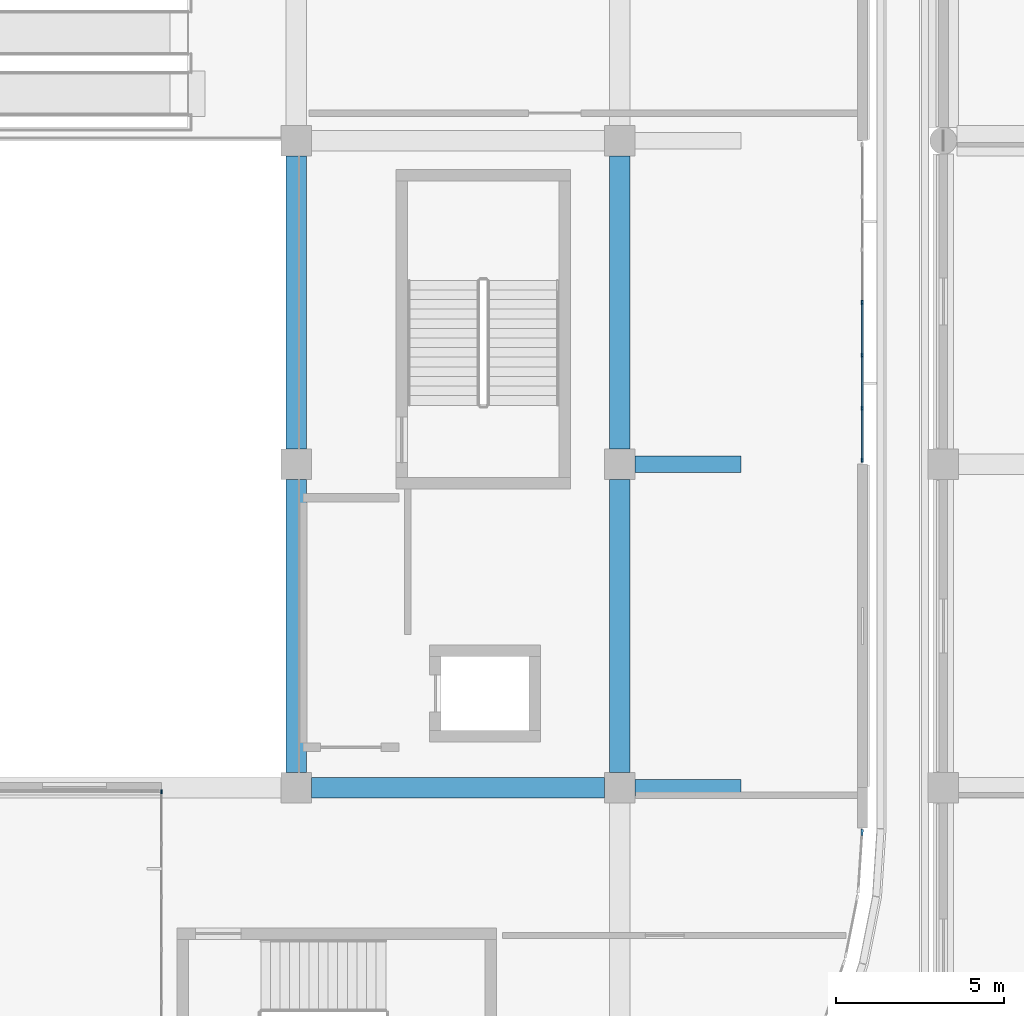
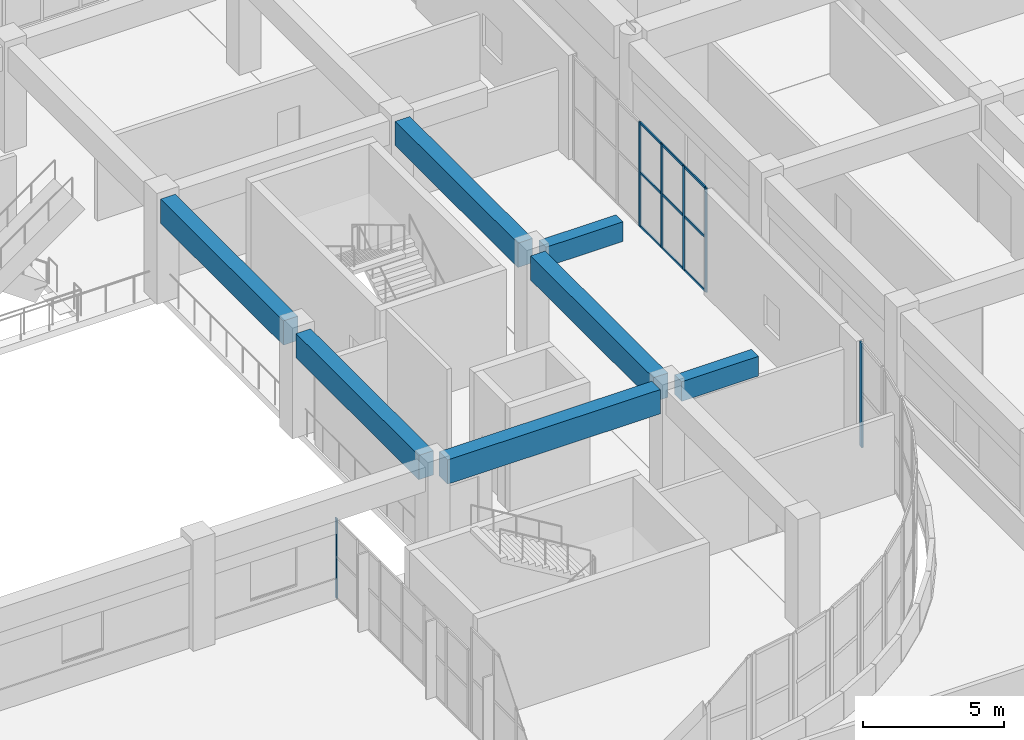
# One storey, part 8 of 96: 15 members, 7 beams, 3 elements without a shape of their own.
"""IFC4 building model written with IfcOpenShell, lengths in metres."""

from ifc_helpers import new_model, si_unit, direction, frame, origin, origin_2d, place, context, subcontext, project, spatial, rectangle, extrude, material, layer, layer_set, material_profile, profile_set, type_object, element, aggregate, save


model = new_model("IFC4")

# Units and contexts
model_context = context("Model", 3, precision=1e-05, world=origin(), true_north=direction((0.0, 1.0)))
body_context = subcontext(model_context, "Body", "Model", "MODEL_VIEW")
ifc_project = project(units=[si_unit("LENGTHUNIT", "METRE"), si_unit("AREAUNIT", "SQUARE_METRE"), si_unit("VOLUMEUNIT", "CUBIC_METRE"), si_unit("PLANEANGLEUNIT", "RADIAN"), si_unit("MASSUNIT", "GRAM", prefix="KILO")], contexts=[model_context])

# Site, building, storey
site_placement = place(None, origin())
site = spatial("IfcSite", under=ifc_project, at=site_placement, CompositionType="ELEMENT")
building_placement = place(site_placement, origin())
building = spatial("IfcBuilding", under=site, at=building_placement, Name="Cendralis Terraced Arcade", CompositionType="ELEMENT")
storey_placement = place(building_placement, frame((0.0, 0.0, 10.199951171875)))
storey = spatial("IfcBuildingStorey", under=building, at=storey_placement, Name="L02", CompositionType="ELEMENT", Elevation=10.199951171875)

# Beams
ifc_material_1 = material(Name="Concrete f'c 35 MPa", Category="concrete")
ifc_material_profile_1 = material_profile(ifc_material_1, rectangle(XDim=0.60009765625, YDim=1.050048828125, at=origin_2d()), Name="RC-BM-600x1050", Category="LoadBearing")
ifc_profile_set_1 = profile_set([ifc_material_profile_1], Name="Concrete f'c 35 MPa")
beam_type_1 = type_object("IfcBeamType", Name="BM-600x1050", PredefinedType="JOIST", material=ifc_profile_set_1)
beam_1_placement = place(storey_placement, frame((48.449951171875, 19.199951171875, 3.989990234375), z_axis=(1.0, 0.0, 0.0), x_axis=(0.0, 1.0, 0.0)))
element("IfcBeam", 1, at=beam_1_placement, inside=storey, type_object=beam_type_1, Name="Reinforced Concrete Frame Beam BM-X-L03-C-6_7", PredefinedType="JOIST", context=body_context, shape_type="SweptSolid", body=[
    extrude(rectangle(XDim=0.60009765625, YDim=1.050048828125, at=origin_2d()), origin(), (0.0, 0.0, 1.0), 8.699951171875),
])
beam_2_placement = place(storey_placement, frame((48.0, 19.64990234375, 3.989990234375), z_axis=(0.0, 1.0, 0.0), x_axis=(-1.0, 0.0, 0.0)))
element("IfcBeam", 2, at=beam_2_placement, inside=storey, type_object=beam_type_1, Name="Reinforced Concrete Frame Beam BM-Y-L03-6-C_D", PredefinedType="JOIST", context=body_context, shape_type="SweptSolid", body=[
    extrude(rectangle(XDim=0.60009765625, YDim=1.050048828125, at=origin_2d()), origin(), (0.0, 0.0, 1.0), 8.7001953125),
])
beam_3_placement = place(storey_placement, frame((48.0, 29.25, 3.989990234375), z_axis=(0.0, 1.0, 0.0), x_axis=(-1.0, 0.0, 0.0)))
element("IfcBeam", 3, at=beam_3_placement, inside=storey, type_object=beam_type_1, Name="Reinforced Concrete Frame Beam BM-Y-L03-6-D_E", PredefinedType="JOIST", context=body_context, shape_type="SweptSolid", body=[
    extrude(rectangle(XDim=0.60009765625, YDim=1.050048828125, at=origin_2d()), origin(), (0.0, 0.0, 1.0), 8.699951171875),
])
beam_4_placement = place(storey_placement, frame((57.60009765625, 19.64990234375, 3.989990234375), z_axis=(0.0, 1.0, 0.0), x_axis=(-1.0, 0.0, 0.0)))
element("IfcBeam", 4, at=beam_4_placement, inside=storey, type_object=beam_type_1, Name="Reinforced Concrete Frame Beam BM-Y-L03-7-C_D", PredefinedType="JOIST", context=body_context, shape_type="SweptSolid", body=[
    extrude(rectangle(XDim=0.60009765625, YDim=1.050048828125, at=origin_2d()), origin(), (0.0, 0.0, 1.0), 8.7001953125),
])
beam_5_placement = place(storey_placement, frame((57.60009765625, 29.25, 3.989990234375), z_axis=(0.0, 1.0, 0.0), x_axis=(-1.0, 0.0, 0.0)))
element("IfcBeam", 5, at=beam_5_placement, inside=storey, type_object=beam_type_1, Name="Reinforced Concrete Frame Beam BM-Y-L03-7-D_E", PredefinedType="JOIST", context=body_context, shape_type="SweptSolid", body=[
    extrude(rectangle(XDim=0.60009765625, YDim=1.050048828125, at=origin_2d()), origin(), (0.0, 0.0, 1.0), 8.699951171875),
])
ifc_material_profile_2 = material_profile(ifc_material_1, rectangle(XDim=0.5, YDim=0.85009765625, at=origin_2d()), Name="RC-BM-500x850", Category="LoadBearing")
ifc_profile_set_2 = profile_set([ifc_material_profile_2], Name="Concrete f'c 35 MPa")
beam_type_2 = type_object("IfcBeamType", Name="BM-TER-500x850", PredefinedType="BEAM", material=ifc_profile_set_2)
for number, where, z_axis, x_axis, name in (
    (6, (58.050048828125, 19.199951171875, 4.080078125), (1.0, 0.0, 0.0), (0.0, 1.0, 0.0), "Terrace Bracket Girder TER-L03-V1-C"),
    (7, (58.050048828125, 28.800048828125, 4.080078125), (1.0, 0.0, 0.0), (0.0, 1.0, 0.0), "Terrace Bracket Girder TER-L03-V1-D"),
):
    element("IfcBeam", number, at=place(storey_placement, frame(where, z_axis=z_axis, x_axis=x_axis)), inside=storey, type_object=beam_type_2, Name=name, PredefinedType="BEAM", context=body_context, shape_type="SweptSolid", body=[
        extrude(rectangle(XDim=0.5, YDim=0.85009765625, at=origin_2d()), origin(), (0.0, 0.0, 1.0), 3.14990234375),
    ])

# Curtain wall, member
ifc_material_2 = material(Name="Anodised aluminium EN AW-6063 T6", Category="aluminium")
ifc_layer_1 = layer(ifc_material_2, 0.1201171875, Name="CW-STORE-B")
ifc_layer_set_1 = layer_set([ifc_layer_1], Name="Anodised aluminium EN AW-6063 T6")
curtain_wall_type_1 = type_object("IfcCurtainWallType", Name="CW-STORE-B", PredefinedType="USERDEFINED", material=ifc_layer_set_1)
curtain_wall_1_placement = place(storey_placement, origin())
curtain_wall_1 = element("IfcCurtainWall", 8, at=curtain_wall_1_placement, inside=storey, type_object=curtain_wall_type_1, Name="Exterior Storefront Glazing CW-L02-0206", ObjectType="STOREFRONT GLAZING", PredefinedType="USERDEFINED")
ifc_material_profile_3 = material_profile(ifc_material_2, rectangle(XDim=0.054931640625, YDim=0.1201171875, at=origin_2d()), Name="ALU-MUL-55x120")
ifc_profile_set_3 = profile_set([ifc_material_profile_3], Name="Anodised aluminium EN AW-6063 T6")
member_type_1 = type_object("IfcMemberType", Name="CW-STORE-B-MUL", PredefinedType="MULLION", material=ifc_profile_set_3)
member_1_placement = place(storey_placement, frame((44.0, 19.08251953125, 0.0), z_axis=(0.0, 0.0, 1.0), x_axis=(-1.0, 0.0, 0.0)))
member_1 = element("IfcMember", 9, at=member_1_placement, type_object=member_type_1, Name="CW-S2 mullion 7", PredefinedType="MULLION", context=body_context, shape_type="SweptSolid", body=[
    extrude(rectangle(XDim=0.054931640625, YDim=0.1201171875, at=origin_2d()), origin(), (0.0, 0.0, 1.0), 3.455078125),
])
aggregate(curtain_wall_1, [member_1])

# Curtain wall, members
curtain_wall_2_placement = place(storey_placement, origin())
curtain_wall_2 = element("IfcCurtainWall", 10, at=curtain_wall_2_placement, inside=storey, type_object=curtain_wall_type_1, Name="Exterior Storefront Glazing CW-L02-0226", ObjectType="STOREFRONT GLAZING", PredefinedType="USERDEFINED")
member_2_placement = place(storey_placement, frame((64.800048828125, 33.60009765625, 0.0), z_axis=(0.0, 0.0, 1.0), x_axis=(1.0, 0.0, 0.0)))
member_2 = element("IfcMember", 11, at=member_2_placement, type_object=member_type_1, Name="CW-S2 mullion 4", PredefinedType="MULLION", context=body_context, shape_type="SweptSolid", body=[
    extrude(rectangle(XDim=0.054931640625, YDim=0.1201171875, at=origin_2d()), origin(), (0.0, 0.0, 1.0), 4.51513671875),
])
member_3_placement = place(storey_placement, frame((64.800048828125, 32.030029296875, 0.0), z_axis=(0.0, 0.0, 1.0), x_axis=(1.0, 0.0, 0.0)))
member_3 = element("IfcMember", 12, at=member_3_placement, type_object=member_type_1, Name="CW-S2 mullion 5", PredefinedType="MULLION", context=body_context, shape_type="SweptSolid", body=[
    extrude(rectangle(XDim=0.054931640625, YDim=0.1201171875, at=origin_2d()), origin(), (0.0, 0.0, 1.0), 4.51513671875),
])
member_4_placement = place(storey_placement, frame((64.800048828125, 30.4599609375, 0.0), z_axis=(0.0, 0.0, 1.0), x_axis=(1.0, 0.0, 0.0)))
member_4 = element("IfcMember", 13, at=member_4_placement, type_object=member_type_1, Name="CW-S2 mullion 6", PredefinedType="MULLION", context=body_context, shape_type="SweptSolid", body=[
    extrude(rectangle(XDim=0.054931640625, YDim=0.1201171875, at=origin_2d()), origin(), (0.0, 0.0, 1.0), 4.51513671875),
])
member_5_placement = place(storey_placement, frame((64.800048828125, 28.91748046875, 0.0), z_axis=(0.0, 0.0, 1.0), x_axis=(1.0, 0.0, 0.0)))
member_5 = element("IfcMember", 14, at=member_5_placement, type_object=member_type_1, Name="CW-S2 mullion 7", PredefinedType="MULLION", context=body_context, shape_type="SweptSolid", body=[
    extrude(rectangle(XDim=0.054931640625, YDim=0.1201171875, at=origin_2d()), origin(), (0.0, 0.0, 1.0), 4.51513671875),
])
ifc_material_profile_4 = material_profile(ifc_material_2, rectangle(XDim=0.054931640625, YDim=0.10009765625, at=origin_2d()), Name="ALU-TRN-55x100")
ifc_profile_set_4 = profile_set([ifc_material_profile_4], Name="Anodised aluminium EN AW-6063 T6")
member_type_2 = type_object("IfcMemberType", Name="CW-STORE-B-TRN", PredefinedType="USERDEFINED", material=ifc_profile_set_4)
member_6_placement = place(storey_placement, frame((64.800048828125, 33.572509765625, 0.027587890625), z_axis=(0.0, -1.0, 0.0), x_axis=(1.0, 0.0, 0.0)))
member_6 = element("IfcMember", 15, at=member_6_placement, type_object=member_type_2, Name="CW-S2 transom 4.1", ObjectType="TRANSOM", PredefinedType="USERDEFINED", context=body_context, shape_type="SweptSolid", body=[
    extrude(rectangle(XDim=0.054931640625, YDim=0.10009765625, at=origin_2d()), origin(), (0.0, 0.0, 1.0), 1.514892578125),
])
member_7_placement = place(storey_placement, frame((64.800048828125, 33.572509765625, 2.347900390625), z_axis=(0.0, -1.0, 0.0), x_axis=(1.0, 0.0, 0.0)))
member_7 = element("IfcMember", 16, at=member_7_placement, type_object=member_type_2, Name="CW-S2 transom 4.2", ObjectType="TRANSOM", PredefinedType="USERDEFINED", context=body_context, shape_type="SweptSolid", body=[
    extrude(rectangle(XDim=0.054931640625, YDim=0.10009765625, at=origin_2d()), origin(), (0.0, 0.0, 1.0), 1.514892578125),
])
member_8_placement = place(storey_placement, frame((64.800048828125, 33.572509765625, 4.487548828125), z_axis=(0.0, -1.0, 0.0), x_axis=(1.0, 0.0, 0.0)))
member_8 = element("IfcMember", 17, at=member_8_placement, type_object=member_type_2, Name="CW-S2 transom 4.3", ObjectType="TRANSOM", PredefinedType="USERDEFINED", context=body_context, shape_type="SweptSolid", body=[
    extrude(rectangle(XDim=0.054931640625, YDim=0.10009765625, at=origin_2d()), origin(), (0.0, 0.0, 1.0), 1.514892578125),
])
member_9_placement = place(storey_placement, frame((64.800048828125, 32.00244140625, 0.027587890625), z_axis=(0.0, -1.0, 0.0), x_axis=(1.0, 0.0, 0.0)))
member_9 = element("IfcMember", 18, at=member_9_placement, type_object=member_type_2, Name="CW-S2 transom 5.1", ObjectType="TRANSOM", PredefinedType="USERDEFINED", context=body_context, shape_type="SweptSolid", body=[
    extrude(rectangle(XDim=0.054931640625, YDim=0.10009765625, at=origin_2d()), origin(), (0.0, 0.0, 1.0), 1.514892578125),
])
member_10_placement = place(storey_placement, frame((64.800048828125, 32.00244140625, 2.347900390625), z_axis=(0.0, -1.0, 0.0), x_axis=(1.0, 0.0, 0.0)))
member_10 = element("IfcMember", 19, at=member_10_placement, type_object=member_type_2, Name="CW-S2 transom 5.2", ObjectType="TRANSOM", PredefinedType="USERDEFINED", context=body_context, shape_type="SweptSolid", body=[
    extrude(rectangle(XDim=0.054931640625, YDim=0.10009765625, at=origin_2d()), origin(), (0.0, 0.0, 1.0), 1.514892578125),
])
member_11_placement = place(storey_placement, frame((64.800048828125, 32.00244140625, 4.487548828125), z_axis=(0.0, -1.0, 0.0), x_axis=(1.0, 0.0, 0.0)))
member_11 = element("IfcMember", 20, at=member_11_placement, type_object=member_type_2, Name="CW-S2 transom 5.3", ObjectType="TRANSOM", PredefinedType="USERDEFINED", context=body_context, shape_type="SweptSolid", body=[
    extrude(rectangle(XDim=0.054931640625, YDim=0.10009765625, at=origin_2d()), origin(), (0.0, 0.0, 1.0), 1.514892578125),
])
member_12_placement = place(storey_placement, frame((64.800048828125, 30.4326171875, 0.027587890625), z_axis=(0.0, -1.0, 0.0), x_axis=(1.0, 0.0, 0.0)))
member_12 = element("IfcMember", 21, at=member_12_placement, type_object=member_type_2, Name="CW-S2 transom 6.1", ObjectType="TRANSOM", PredefinedType="USERDEFINED", context=body_context, shape_type="SweptSolid", body=[
    extrude(rectangle(XDim=0.054931640625, YDim=0.10009765625, at=origin_2d()), origin(), (0.0, 0.0, 1.0), 1.487548828125),
])
member_13_placement = place(storey_placement, frame((64.800048828125, 30.4326171875, 2.347900390625), z_axis=(0.0, -1.0, 0.0), x_axis=(1.0, 0.0, 0.0)))
member_13 = element("IfcMember", 22, at=member_13_placement, type_object=member_type_2, Name="CW-S2 transom 6.2", ObjectType="TRANSOM", PredefinedType="USERDEFINED", context=body_context, shape_type="SweptSolid", body=[
    extrude(rectangle(XDim=0.054931640625, YDim=0.10009765625, at=origin_2d()), origin(), (0.0, 0.0, 1.0), 1.487548828125),
])
member_14_placement = place(storey_placement, frame((64.800048828125, 30.4326171875, 4.487548828125), z_axis=(0.0, -1.0, 0.0), x_axis=(1.0, 0.0, 0.0)))
member_14 = element("IfcMember", 23, at=member_14_placement, type_object=member_type_2, Name="CW-S2 transom 6.3", ObjectType="TRANSOM", PredefinedType="USERDEFINED", context=body_context, shape_type="SweptSolid", body=[
    extrude(rectangle(XDim=0.054931640625, YDim=0.10009765625, at=origin_2d()), origin(), (0.0, 0.0, 1.0), 1.487548828125),
])
aggregate(curtain_wall_2, [member_2, member_3, member_4, member_5, member_6, member_7, member_8, member_9, member_10, member_11, member_12, member_13, member_14])

# Curtain wall, member
ifc_layer_2 = layer(ifc_material_2, 0.179931640625, Name="CW-UNIT-A")
ifc_layer_set_2 = layer_set([ifc_layer_2], Name="Anodised aluminium EN AW-6063 T6")
curtain_wall_type_2 = type_object("IfcCurtainWallType", Name="CW-UNIT-A", PredefinedType="USERDEFINED", material=ifc_layer_set_2)
curtain_wall_3_placement = place(storey_placement, origin())
curtain_wall_3 = element("IfcCurtainWall", 24, at=curtain_wall_3_placement, inside=storey, type_object=curtain_wall_type_2, Name="Exterior Unitised Facade CW-L02-0192", ObjectType="UNITISED FACADE", PredefinedType="USERDEFINED")
ifc_material_profile_5 = material_profile(ifc_material_2, rectangle(XDim=0.06494140625, YDim=0.179931640625, at=origin_2d()), Name="ALU-MUL-65x180")
ifc_profile_set_5 = profile_set([ifc_material_profile_5], Name="Anodised aluminium EN AW-6063 T6")
member_type_3 = type_object("IfcMemberType", Name="CW-UNIT-A-MUL", PredefinedType="MULLION", material=ifc_profile_set_5)
member_15_placement = place(storey_placement, frame((64.7919921875, 17.877685546875, 0.0), z_axis=(0.0, 0.0, 1.0), x_axis=(0.997860971336, -0.065371873798, 0.0)))
member_15 = element("IfcMember", 25, at=member_15_placement, type_object=member_type_3, Name="CW-U1 mullion 1", PredefinedType="MULLION", context=body_context, shape_type="SweptSolid", body=[
    extrude(rectangle(XDim=0.06494140625, YDim=0.179931640625, at=origin_2d()), origin(), (0.0, 0.0, 1.0), 4.51513671875),
])
aggregate(curtain_wall_3, [member_15])

save(model, "model.ifc")
